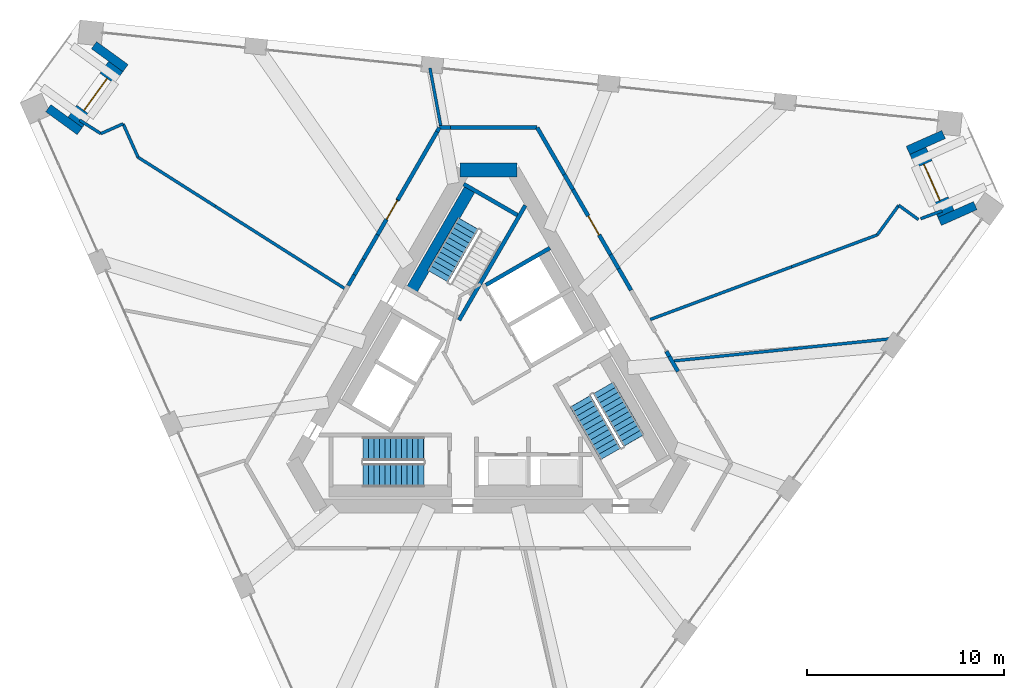
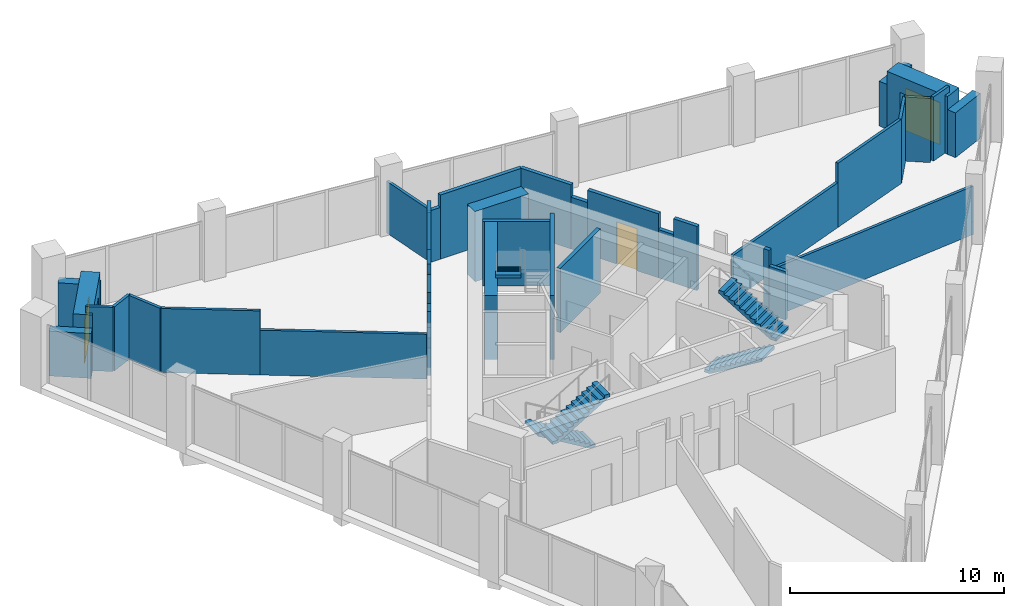
# One storey, part 10 of 15: 38 walls, 5 stair flights, 4 doors, 4 openings, 3 elements without a shape of their own.
"""IFC4 building model written with IfcOpenShell, lengths in metres."""

from ifc_helpers import new_model, si_unit, direction, frame, frame_2d, origin, place, context, subcontext, project, spatial, polyline, rectangle, outline, extrude, material, layer, layer_set, type_object, element, fill, aggregate, save


model = new_model("IFC4")

# Units and contexts
model_context = context("Model", 3, precision=1e-05, world=origin(), true_north=direction((0.0, 1.0)))
body_context = subcontext(model_context, "Body", "Model", "MODEL_VIEW")
ifc_project = project(units=[si_unit("LENGTHUNIT", "METRE"), si_unit("AREAUNIT", "SQUARE_METRE"), si_unit("VOLUMEUNIT", "CUBIC_METRE"), si_unit("PLANEANGLEUNIT", "RADIAN"), si_unit("MASSUNIT", "GRAM", prefix="KILO")], contexts=[model_context])

# Site, building, storey
site_placement = place(None, origin())
site = spatial("IfcSite", under=ifc_project, at=site_placement, CompositionType="ELEMENT")
building_placement = place(site_placement, origin())
building = spatial("IfcBuilding", under=site, at=building_placement, Name="Tramontana Tower", CompositionType="ELEMENT")
storey_placement = place(building_placement, frame((0.0, 0.0, 237.199951171875)))
storey = spatial("IfcBuildingStorey", under=building, at=storey_placement, Name="L55", CompositionType="ELEMENT", Elevation=237.199951171875)

# Walls
ifc_material_1 = material(Name="Concrete 70 MPa", Category="concrete")
ifc_layer_1 = layer(ifc_material_1, 0.699951171875)
ifc_layer_set_1 = layer_set([ifc_layer_1], Name="Core wall 700 70 MPa")
wall_type_1 = type_object("IfcWallType", Name="Core wall 700 70 MPa", PredefinedType="SHEAR", material=ifc_layer_set_1)
wall_1_placement = place(storey_placement, frame((1.443359375, 10.64990234375, 0.0), z_axis=(0.0, 0.0, 1.0), x_axis=(-1.0, 0.0, 0.0)))
element("IfcWall", 1, at=wall_1_placement, inside=storey, type_object=wall_type_1, Name="Core wall C0 L55", PredefinedType="SHEAR", context=body_context, shape_type="SweptSolid", body=[
    extrude(rectangle(XDim=2.88671875, YDim=0.699951171875, at=frame_2d((1.443359375, 0.0))), origin(), (0.0, 0.0, 1.0), 4.0),
])
ifc_material_2 = material(Name="Blockwork", Category="masonry")
ifc_layer_2 = layer(ifc_material_2, 0.199951171875)
ifc_layer_set_2 = layer_set([ifc_layer_2], Name="ENTRY WALL 200")
wall_type_2 = type_object("IfcWallType", Name="ENTRY WALL 200", PredefinedType="SOLIDWALL", material=ifc_layer_set_2)
wall_2_placement = place(storey_placement, frame((-7.11181640625, 4.78173828125, 0.0), z_axis=(0.0, 0.0, 1.0), x_axis=(0.499956208541, 0.866050685319, 0.0)))
element("IfcWall", 2, at=wall_2_placement, inside=storey, type_object=wall_type_2, Name="Wall ew3-6", PredefinedType="SOLIDWALL", context=body_context, shape_type="SweptSolid", body=[
    extrude(rectangle(XDim=0.6328125, YDim=0.199951171875, at=frame_2d((0.31640625, 0.0))), origin(), (0.0, 0.0, 1.0), 3.650146484375),
])
wall_3_placement = place(storey_placement, frame((-6.79541015625, 5.329833984375, 0.0), z_axis=(0.0, 0.0, 1.0), x_axis=(0.499975954304, 0.866039286129, 0.0)))
element("IfcWall", 3, at=wall_3_placement, inside=storey, type_object=wall_type_2, Name="Wall ew3-7", PredefinedType="SOLIDWALL", context=body_context, shape_type="SweptSolid", body=[
    extrude(rectangle(XDim=0.9169921875, YDim=0.199951171875, at=frame_2d((0.45849609375, 0.0))), origin(), (0.0, 0.0, 1.0), 2.550048828125),
])
wall_4_placement = place(storey_placement, frame((-6.3369140625, 6.1240234375, 0.0), z_axis=(0.0, 0.0, 1.0), x_axis=(0.499904796234, 0.866080362727, 0.0)))
element("IfcWall", 4, at=wall_4_placement, inside=storey, type_object=wall_type_2, Name="Wall ew3-8", PredefinedType="SOLIDWALL", context=body_context, shape_type="SweptSolid", body=[
    extrude(rectangle(XDim=1.429443359375, YDim=0.199951171875, at=frame_2d((0.71484375, 0.0))), origin(), (0.0, 0.0, 1.0), 3.650146484375),
])

# Wall, opening, door
wall_5_placement = place(storey_placement, frame((-5.622314453125, 7.362060546875, 0.0), z_axis=(0.0, 0.0, 1.0), x_axis=(0.50006436408, 0.865988239976, 0.0)))
wall_5 = element("IfcWall", 5, at=wall_5_placement, inside=storey, type_object=wall_type_2, Name="Wall ew3-9", PredefinedType="SOLIDWALL", context=body_context, shape_type="SweptSolid", body=[
    extrude(outline(polyline([(0.0, 0.0), (2.060302734375, 0.0), (2.060302734375, 3.650146484375), (0.883544921875, 3.650146484375), (0.883544921875, 2.75), (0.0, 2.75), (0.0, 0.0)])), frame((0.0, 0.10009765625, 0.0), z_axis=(0.0, -1.0, 0.0), x_axis=(1.0, 0.0, 0.0)), (0.0, 0.0, 1.0), 0.199951171875),
])
opening_1_placement = place(wall_5_placement, frame((0.91015625, 0.0, 0.0)))
opening_1 = element("IfcOpeningElement", 6, at=opening_1_placement, cuts=wall_5, Name="Opening L55-02", PredefinedType="OPENING", context=body_context, shape_type="SweptSolid", body=[
    extrude(rectangle(XDim=1.10009765625, YDim=2.39990234375, at=frame_2d((0.550048828125, 1.199951171875))), frame((0.0, 0.10986328125, 0.0), z_axis=(0.0, -1.0, 0.0), x_axis=(1.0, 0.0, 0.0)), (0.0, 0.0, 1.0), 0.219970703125),
])
ifc_material_3 = material(Name="Painted timber", Category="wood")
door_type_1 = type_object("IfcDoorType", Name="DOOR ENTRY 1100", OperationType="SINGLE_SWING_LEFT", PredefinedType="DOOR", material=ifc_material_3)
door_1_placement = place(opening_1_placement, origin())
door_1 = element("IfcDoor", 7, at=door_1_placement, inside=storey, type_object=door_type_1, Name="Door L55-02", OperationType="SINGLE_SWING_RIGHT", OverallHeight=2.39990234375, OverallWidth=1.10009765625, PredefinedType="DOOR", context=body_context, shape_type="SweptSolid", body=[
    extrude(rectangle(XDim=1.10009765625, YDim=2.39990234375, at=frame_2d((0.550048828125, 1.199951171875))), frame((0.0, 0.02490234375, 0.0), z_axis=(0.0, -1.0, 0.0), x_axis=(1.0, 0.0, 0.0)), (0.0, 0.0, 1.0), 0.050048828125),
])
fill(opening_1, door_1)

# Walls
wall_6_placement = place(storey_placement, frame((-4.592041015625, 9.146240234375, 0.0), z_axis=(0.0, 0.0, 1.0), x_axis=(0.499987651691, 0.866032532966, 0.0)))
element("IfcWall", 8, at=wall_6_placement, inside=storey, type_object=wall_type_2, Name="Wall ew3-10", PredefinedType="SOLIDWALL", context=body_context, shape_type="SweptSolid", body=[
    extrude(rectangle(XDim=3.984375, YDim=0.199951171875, at=frame_2d((1.9921875, 0.0))), origin(), (0.0, 0.0, 1.0), 3.650146484375),
])
wall_7_placement = place(storey_placement, frame((-2.599853515625, 12.596923828125, 0.0), z_axis=(0.0, 0.0, 1.0), x_axis=(0.49972245349, 0.866185586049, 0.0)))
element("IfcWall", 9, at=wall_7_placement, inside=storey, type_object=wall_type_2, Name="Wall ew3-11", PredefinedType="SOLIDWALL", context=body_context, shape_type="SweptSolid", body=[
    extrude(rectangle(XDim=0.234619140625, YDim=0.199951171875, at=frame_2d((0.1171875, 0.0))), origin(), (0.0, 0.0, 1.0), 2.949951171875),
])
wall_8_placement = place(storey_placement, frame((-2.482666015625, 12.800048828125, 0.0), z_axis=(0.0, 0.0, 1.0), x_axis=(1.0, 0.0, 0.0)))
element("IfcWall", 10, at=wall_8_placement, inside=storey, type_object=wall_type_2, Name="Wall ew4-0", PredefinedType="SOLIDWALL", context=body_context, shape_type="SweptSolid", body=[
    extrude(rectangle(XDim=0.5576171875, YDim=0.199951171875, at=frame_2d((0.27880859375, 0.0))), origin(), (0.0, 0.0, 1.0), 2.949951171875),
])
wall_9_placement = place(storey_placement, frame((-1.925048828125, 12.800048828125, 0.0), z_axis=(0.0, 0.0, 1.0), x_axis=(1.0, 0.0, 0.0)))
element("IfcWall", 11, at=wall_9_placement, inside=storey, type_object=wall_type_2, Name="Wall ew4-1", PredefinedType="SOLIDWALL", context=body_context, shape_type="SweptSolid", body=[
    extrude(rectangle(XDim=4.40771484375, YDim=0.199951171875, at=frame_2d((2.203857421875, 0.0))), origin(), (0.0, 0.0, 1.0), 3.650146484375),
])
wall_10_placement = place(storey_placement, frame((2.482666015625, 12.800048828125, 0.0), z_axis=(0.0, 0.0, 1.0), x_axis=(0.499956000529, -0.8660508054, 0.0)))
element("IfcWall", 12, at=wall_10_placement, inside=storey, type_object=wall_type_2, Name="Wall ew5-0", PredefinedType="SOLIDWALL", context=body_context, shape_type="SweptSolid", body=[
    extrude(rectangle(XDim=2.744873046875, YDim=0.199951171875, at=frame_2d((1.37255859375, 0.0))), origin(), (0.0, 0.0, 1.0), 3.650146484375),
])
wall_11_placement = place(storey_placement, frame((3.85498046875, 10.4228515625, 0.0), z_axis=(0.0, 0.0, 1.0), x_axis=(0.500135429527, -0.86594719939, 0.0)))
element("IfcWall", 13, at=wall_11_placement, inside=storey, type_object=wall_type_2, Name="Wall ew5-1", PredefinedType="SOLIDWALL", context=body_context, shape_type="SweptSolid", body=[
    extrude(rectangle(XDim=0.886962890625, YDim=0.199951171875, at=frame_2d((0.443359375, 0.0))), origin(), (0.0, 0.0, 1.0), 2.949951171875),
])

# Wall, opening, door
wall_12_placement = place(storey_placement, frame((4.298583984375, 9.65478515625, 0.0), z_axis=(0.0, 0.0, 1.0), x_axis=(0.499997905474, -0.866026613056, 0.0)))
wall_12 = element("IfcWall", 14, at=wall_12_placement, inside=storey, type_object=wall_type_2, Name="Wall ew5-2", PredefinedType="SOLIDWALL", context=body_context, shape_type="SweptSolid", body=[
    extrude(rectangle(XDim=3.810546875, YDim=0.199951171875, at=frame_2d((1.9052734375, 0.0))), origin(), (0.0, 0.0, 1.0), 3.650146484375),
])
opening_2_placement = place(wall_12_placement, frame((1.5498046875, 0.0, 0.0)))
opening_2 = element("IfcOpeningElement", 15, at=opening_2_placement, cuts=wall_12, Name="Opening L55-01", PredefinedType="OPENING", context=body_context, shape_type="SweptSolid", body=[
    extrude(rectangle(XDim=1.10009765625, YDim=2.39990234375, at=frame_2d((0.550048828125, 1.199951171875))), frame((0.0, 0.10986328125, 0.0), z_axis=(0.0, -1.0, 0.0), x_axis=(1.0, 0.0, 0.0)), (0.0, 0.0, 1.0), 0.219970703125),
])
door_2_placement = place(opening_2_placement, origin())
door_2 = element("IfcDoor", 16, at=door_2_placement, inside=storey, type_object=door_type_1, Name="Door L55-01", OperationType="SINGLE_SWING_LEFT", OverallHeight=2.39990234375, OverallWidth=1.10009765625, PredefinedType="DOOR", context=body_context, shape_type="SweptSolid", body=[
    extrude(rectangle(XDim=1.10009765625, YDim=2.39990234375, at=frame_2d((0.550048828125, 1.199951171875))), frame((0.0, 0.02490234375, 0.0), z_axis=(0.0, -1.0, 0.0), x_axis=(1.0, 0.0, 0.0)), (0.0, 0.0, 1.0), 0.050048828125),
])
fill(opening_2, door_2)

# Walls
wall_13_placement = place(storey_placement, frame((6.203857421875, 6.354736328125, 0.0), z_axis=(0.0, 0.0, 1.0), x_axis=(0.499911126926, -0.866076708598, 0.0)))
element("IfcWall", 17, at=wall_13_placement, inside=storey, type_object=wall_type_2, Name="Wall ew5-3", PredefinedType="SOLIDWALL", context=body_context, shape_type="SweptSolid", body=[
    extrude(rectangle(XDim=0.821533203125, YDim=0.199951171875, at=frame_2d((0.41064453125, 0.0))), origin(), (0.0, 0.0, 1.0), 2.75),
])
wall_14_placement = place(storey_placement, frame((6.614501953125, 5.643310546875, 0.0), z_axis=(0.0, 0.0, 1.0), x_axis=(0.499978579288, -0.866037770685, 0.0)))
element("IfcWall", 18, at=wall_14_placement, inside=storey, type_object=wall_type_2, Name="Wall ew5-4", PredefinedType="SOLIDWALL", context=body_context, shape_type="SweptSolid", body=[
    extrude(rectangle(XDim=1.26513671875, YDim=0.199951171875, at=frame_2d((0.632568359375, 0.0))), origin(), (0.0, 0.0, 1.0), 3.650146484375),
])
wall_15_placement = place(storey_placement, frame((9.0400390625, 1.442138671875, 0.0), z_axis=(0.0, 0.0, 1.0), x_axis=(0.499986503906, -0.866033195618, 0.0)))
element("IfcWall", 19, at=wall_15_placement, inside=storey, type_object=wall_type_2, Name="Wall ew5-8", PredefinedType="SOLIDWALL", context=body_context, shape_type="SweptSolid", body=[
    extrude(rectangle(XDim=0.29345703125, YDim=0.199951171875, at=frame_2d((0.146728515625, 0.0))), origin(), (0.0, 0.0, 1.0), 3.650146484375),
])
wall_16_placement = place(storey_placement, frame((9.186767578125, 1.18798828125, 0.0), z_axis=(0.0, 0.0, 1.0), x_axis=(0.500121072013, -0.86595549154, 0.0)))
element("IfcWall", 20, at=wall_16_placement, inside=storey, type_object=wall_type_2, Name="Wall ew5-9", PredefinedType="SOLIDWALL", context=body_context, shape_type="SweptSolid", body=[
    extrude(rectangle(XDim=0.883544921875, YDim=0.199951171875, at=frame_2d((0.44189453125, 0.0))), origin(), (0.0, 0.0, 1.0), 2.75),
])
ifc_material_4 = material(Name="Precast concrete 60 MPa", Category="concrete")
ifc_layer_3 = layer(ifc_material_4, 0.449951171875)
ifc_layer_set_3 = layer_set([ifc_layer_3], Name="Precast concrete 60 MPa, 450 mm")
wall_type_3 = type_object("IfcWallType", Name="EW1 Stone-faced precast wall 450", PredefinedType="SOLIDWALL", material=ifc_layer_set_3)
for number, where, z_axis, x_axis, name in (
    (21, (-22.34033203125, 13.7900390625, 0.0), (0.0, 0.0, 1.0), (0.809040012586, -0.587753569138, 0.0), "Corner loggia side wall L55 K60l"),
    (22, (-20.0185546875, 16.985595703125, 0.0), (0.0, 0.0, 1.0), (0.809040012586, -0.587753569138, 0.0), "Corner loggia side wall L55 K60r"),
    (23, (23.112548828125, 12.452392578125, 0.0), (0.0, 0.0, 1.0), (-0.913516289312, -0.406802149899, 0.0), "Corner loggia side wall L55 K62l"),
    (24, (24.71923828125, 8.84375, 0.0), (0.0, 0.0, 1.0), (-0.913562124494, -0.406699206651, 0.0), "Corner loggia side wall L55 K62r"),
):
    element("IfcWall", number, at=place(storey_placement, frame(where, z_axis=z_axis, x_axis=x_axis)), inside=storey, type_object=wall_type_3, Name=name, PredefinedType="SOLIDWALL", context=body_context, shape_type="SweptSolid", body=[
        extrude(rectangle(XDim=1.979248046875, YDim=0.449951171875, at=frame_2d((0.98974609375, 0.0))), origin(), (0.0, 0.0, 1.0), 2.550048828125),
    ])

# Wall, opening, door
ifc_material_5 = material(Name="Precast concrete 60 MPa", Category="concrete")
ifc_layer_4 = layer(ifc_material_5, 0.89990234375)
ifc_layer_set_4 = layer_set([ifc_layer_4], Name="EW2 Stone-faced corner loggia wall 900")
wall_type_4 = type_object("IfcWallType", Name="EW2 Stone-faced corner loggia wall 900", PredefinedType="SOLIDWALL", material=ifc_layer_set_4)
wall_17_placement = place(storey_placement, frame((-20.970947265625, 13.0732421875, 0.0), z_axis=(0.0, 0.0, 1.0), x_axis=(0.587810807352, 0.808998426921, 0.0)))
wall_17 = element("IfcWall", 25, at=wall_17_placement, inside=storey, type_object=wall_type_4, Name="Corner loggia wall L55 K60", PredefinedType="SOLIDWALL", context=body_context, shape_type="SweptSolid", body=[
    extrude(rectangle(XDim=3.5, YDim=0.89990234375, at=frame_2d((1.75, 0.0))), origin(), (0.0, 0.0, 1.0), 3.300048828125),
])
opening_3_placement = place(wall_17_placement, frame((0.75, 0.0, 0.0)))
opening_3 = element("IfcOpeningElement", 26, at=opening_3_placement, cuts=wall_17, Name="Opening BD-60C", PredefinedType="OPENING", context=body_context, shape_type="SweptSolid", body=[
    extrude(rectangle(XDim=2.0, YDim=2.39990234375, at=frame_2d((1.0, 1.199951171875))), frame((0.0, 0.4599609375, 0.0), z_axis=(0.0, -1.0, 0.0), x_axis=(1.0, 0.0, 0.0)), (0.0, 0.0, 1.0), 0.919921875),
])
ifc_material_6 = material(Name="Aluminum frame, double glazing unit", Category="aluminium")
door_type_2 = type_object("IfcDoorType", Name="BC1 Sliding door 2 x 2.4", OperationType="SLIDING_TO_LEFT", PredefinedType="DOOR", material=ifc_material_6)
door_3_placement = place(opening_3_placement, origin())
door_3 = element("IfcDoor", 27, at=door_3_placement, inside=storey, type_object=door_type_2, Name="Corner loggia door L55 K60", OperationType="SLIDING_TO_LEFT", OverallHeight=2.39990234375, OverallWidth=2.0, PredefinedType="DOOR", context=body_context, shape_type="SweptSolid", body=[
    extrude(rectangle(XDim=2.0, YDim=2.39990234375, at=frame_2d((1.0, 1.199951171875))), frame((0.0, 0.02490234375, 0.0), z_axis=(0.0, -1.0, 0.0), x_axis=(1.0, 0.0, 0.0)), (0.0, 0.0, 1.0), 0.050048828125),
])
fill(opening_3, door_3)

wall_18_placement = place(storey_placement, frame((21.80712890625, 11.624755859375, 0.0), z_axis=(0.0, 0.0, 1.0), x_axis=(0.406727323635, -0.913549606868, 0.0)))
wall_18 = element("IfcWall", 28, at=wall_18_placement, inside=storey, type_object=wall_type_4, Name="Corner loggia wall L55 K62", PredefinedType="SOLIDWALL", context=body_context, shape_type="SweptSolid", body=[
    extrude(rectangle(XDim=3.5, YDim=0.89990234375, at=frame_2d((1.75, 0.0))), origin(), (0.0, 0.0, 1.0), 3.300048828125),
])
opening_4_placement = place(wall_18_placement, frame((0.75, 0.0, 0.0)))
opening_4 = element("IfcOpeningElement", 29, at=opening_4_placement, cuts=wall_18, Name="Opening BD-62C", PredefinedType="OPENING", context=body_context, shape_type="SweptSolid", body=[
    extrude(rectangle(XDim=2.0, YDim=2.39990234375, at=frame_2d((1.0, 1.199951171875))), frame((0.0, 0.4599609375, 0.0), z_axis=(0.0, -1.0, 0.0), x_axis=(1.0, 0.0, 0.0)), (0.0, 0.0, 1.0), 0.919921875),
])
door_4_placement = place(opening_4_placement, origin())
door_4 = element("IfcDoor", 30, at=door_4_placement, inside=storey, type_object=door_type_2, Name="Corner loggia door L55 K62", OperationType="SLIDING_TO_LEFT", OverallHeight=2.39990234375, OverallWidth=2.0, PredefinedType="DOOR", context=body_context, shape_type="SweptSolid", body=[
    extrude(rectangle(XDim=2.0, YDim=2.39990234375, at=frame_2d((1.0, 1.199951171875))), frame((0.0, 0.02490234375, 0.0), z_axis=(0.0, -1.0, 0.0), x_axis=(1.0, 0.0, 0.0)), (0.0, 0.0, 1.0), 0.050048828125),
])
fill(opening_4, door_4)

# Walls
ifc_material_7 = material(Name="Gypsum board partition")
ifc_layer_5 = layer(ifc_material_7, 0.14990234375)
ifc_layer_set_5 = layer_set([ifc_layer_5], Name="PARTITION 150")
wall_type_5 = type_object("IfcWallType", Name="PARTITION 150", PredefinedType="PARTITIONING", material=ifc_layer_set_5)
wall_19_placement = place(storey_placement, frame((-19.66650390625, 12.495849609375, 0.0), z_axis=(0.0, 0.0, 1.0), x_axis=(-0.844054864629, 0.536256827924, 0.0)))
element("IfcWall", 31, at=wall_19_placement, inside=storey, type_object=wall_type_5, Name="Wall fw-pw00", PredefinedType="PARTITIONING", context=body_context, shape_type="SweptSolid", body=[
    extrude(rectangle(XDim=1.277099609375, YDim=0.14990234375, at=frame_2d((0.638671875, 0.0))), origin(), (0.0, 0.0, 1.0), 3.650146484375),
])
wall_20_placement = place(storey_placement, frame((-18.541015625, 12.996826171875, 0.0), z_axis=(0.0, 0.0, 1.0), x_axis=(-0.913582584013, -0.406653245639, 0.0)))
element("IfcWall", 32, at=wall_20_placement, inside=storey, type_object=wall_type_5, Name="Wall fw-pw01", PredefinedType="PARTITIONING", context=body_context, shape_type="SweptSolid", body=[
    extrude(rectangle(XDim=1.23193359375, YDim=0.14990234375, at=frame_2d((0.615966796875, 0.0))), origin(), (0.0, 0.0, 1.0), 3.650146484375),
])
wall_21_placement = place(storey_placement, frame((-17.782958984375, 11.299072265625, 0.0), z_axis=(0.0, 0.0, 1.0), x_axis=(-0.406809110969, 0.913513189414, 0.0)))
element("IfcWall", 33, at=wall_21_placement, inside=storey, type_object=wall_type_5, Name="Wall fw-pw02", PredefinedType="PARTITIONING", context=body_context, shape_type="SweptSolid", body=[
    extrude(rectangle(XDim=1.857421875, YDim=0.14990234375, at=frame_2d((0.9287109375, 0.0))), origin(), (0.0, 0.0, 1.0), 3.650146484375),
])
wall_22_placement = place(storey_placement, frame((-7.3076171875, 4.64306640625, 0.0), z_axis=(0.0, 0.0, 1.0), x_axis=(-0.844032346695, 0.536292268947, 0.0)))
element("IfcWall", 34, at=wall_22_placement, inside=storey, type_object=wall_type_5, Name="Wall fw-pw05-0", PredefinedType="PARTITIONING", context=body_context, shape_type="SweptSolid", body=[
    extrude(rectangle(XDim=7.775390625, YDim=0.14990234375, at=frame_2d((3.8876953125, 0.0))), origin(), (0.0, 0.0, 1.0), 2.550048828125),
])
wall_23_placement = place(storey_placement, frame((-13.870361328125, 8.81298828125, 0.0), z_axis=(0.0, 0.0, 1.0), x_axis=(-0.844027785631, 0.536299447215, 0.0)))
element("IfcWall", 35, at=wall_23_placement, inside=storey, type_object=wall_type_5, Name="Wall fw-pw05-1", PredefinedType="PARTITIONING", context=body_context, shape_type="SweptSolid", body=[
    extrude(rectangle(XDim=4.6357421875, YDim=0.14990234375, at=frame_2d((2.31787109375, 0.0))), origin(), (0.0, 0.0, 1.0), 3.650146484375),
])
wall_24_placement = place(storey_placement, frame((-2.415771484375, 12.900146484375, 0.0), z_axis=(0.0, 0.0, 1.0), x_axis=(-0.18402115817, 0.982922282455, 0.0)))
element("IfcWall", 36, at=wall_24_placement, inside=storey, type_object=wall_type_5, Name="Wall fw-pw09-0", PredefinedType="PARTITIONING", context=body_context, shape_type="SweptSolid", body=[
    extrude(rectangle(XDim=2.97705078125, YDim=0.14990234375, at=frame_2d((1.488525390625, 0.0))), origin(), (0.0, 0.0, 1.0), 2.949951171875),
])
wall_25_placement = place(storey_placement, frame((9.43310546875, 0.96142578125, 0.0), z_axis=(0.0, 0.0, 1.0), x_axis=(0.994848032618, 0.101377472819, 0.0)))
element("IfcWall", 37, at=wall_25_placement, inside=storey, type_object=wall_type_5, Name="Wall fw-pw12-0", PredefinedType="PARTITIONING", context=body_context, shape_type="SweptSolid", body=[
    extrude(rectangle(XDim=11.222412109375, YDim=0.14990234375, at=frame_2d((5.611328125, 0.0))), origin(), (0.0, 0.0, 1.0), 2.75),
])
wall_26_placement = place(storey_placement, frame((19.743408203125, 7.354736328125, 0.0), z_axis=(0.0, 0.0, 1.0), x_axis=(-0.937095289684, -0.349073657058, 0.0)))
element("IfcWall", 38, at=wall_26_placement, inside=storey, type_object=wall_type_5, Name="Wall fw-pw13-0", PredefinedType="PARTITIONING", context=body_context, shape_type="SweptSolid", body=[
    extrude(rectangle(XDim=4.635498046875, YDim=0.14990234375, at=frame_2d((2.31787109375, 0.0))), origin(), (0.0, 0.0, 1.0), 3.650146484375),
])
wall_27_placement = place(storey_placement, frame((15.3994140625, 5.736572265625, 0.0), z_axis=(0.0, 0.0, 1.0), x_axis=(-0.937094379244, -0.349076101144, 0.0)))
element("IfcWall", 39, at=wall_27_placement, inside=storey, type_object=wall_type_5, Name="Wall fw-pw13-1", PredefinedType="PARTITIONING", context=body_context, shape_type="SweptSolid", body=[
    extrude(rectangle(XDim=7.6611328125, YDim=0.14990234375, at=frame_2d((3.83056640625, 0.0))), origin(), (0.0, 0.0, 1.0), 2.550048828125),
])
wall_28_placement = place(storey_placement, frame((20.83544921875, 8.857666015625, 0.0), z_axis=(0.0, 0.0, 1.0), x_axis=(-0.587796499564, -0.809008822634, 0.0)))
element("IfcWall", 40, at=wall_28_placement, inside=storey, type_object=wall_type_5, Name="Wall fw-pw14", PredefinedType="PARTITIONING", context=body_context, shape_type="SweptSolid", body=[
    extrude(rectangle(XDim=1.857421875, YDim=0.14990234375, at=frame_2d((0.9287109375, 0.0))), origin(), (0.0, 0.0, 1.0), 3.650146484375),
])
wall_29_placement = place(storey_placement, frame((21.834716796875, 8.1337890625, 0.0), z_axis=(0.0, 0.0, 1.0), x_axis=(-0.808993112519, 0.587818121443, 0.0)))
element("IfcWall", 41, at=wall_29_placement, inside=storey, type_object=wall_type_5, Name="Wall fw-pw15", PredefinedType="PARTITIONING", context=body_context, shape_type="SweptSolid", body=[
    extrude(rectangle(XDim=1.23193359375, YDim=0.14990234375, at=frame_2d((0.615966796875, 0.0))), origin(), (0.0, 0.0, 1.0), 3.650146484375),
])
wall_30_placement = place(storey_placement, frame((23.031494140625, 8.57958984375, 0.0), z_axis=(0.0, 0.0, 1.0), x_axis=(-0.937141646559, -0.348949185819, 0.0)))
element("IfcWall", 42, at=wall_30_placement, inside=storey, type_object=wall_type_5, Name="Wall fw-pw16", PredefinedType="PARTITIONING", context=body_context, shape_type="SweptSolid", body=[
    extrude(rectangle(XDim=1.1572265625, YDim=0.14990234375, at=frame_2d((0.57861328125, 0.0))), origin(), (0.0, 0.0, 1.0), 3.650146484375),
])
ifc_material_8 = material(Name="Concrete 70 MPa", Category="concrete")
ifc_layer_6 = layer(ifc_material_8, 0.60009765625)
ifc_layer_set_6 = layer_set([ifc_layer_6], Name="Concrete 70 MPa, 600 mm")
wall_type_6 = type_object("IfcWallType", Name="RC SHAFT BACK WALL 600", PredefinedType="SOLIDWALL", material=ifc_layer_set_6)
wall_31_placement = place(storey_placement, frame((-0.85302734375, 9.822509765625, 0.0), z_axis=(0.0, 0.0, 1.0), x_axis=(-0.500009909098, -0.866019682689, 0.0)))
element("IfcWall", 43, at=wall_31_placement, inside=storey, type_object=wall_type_6, Name="Wall st1-back", PredefinedType="SOLIDWALL", context=body_context, shape_type="SweptSolid", body=[
    extrude(rectangle(XDim=6.199951171875, YDim=0.60009765625, at=frame_2d((3.10009765625, 0.0))), origin(), (0.0, 0.0, 1.0), 3.650146484375),
])
ifc_material_9 = material(Name="Concrete 70 MPa", Category="concrete")
ifc_layer_7 = layer(ifc_material_9, 0.199951171875)
ifc_layer_set_7 = layer_set([ifc_layer_7], Name="Concrete 70 MPa, 200 mm")
wall_type_7 = type_object("IfcWallType", Name="RC STAIR AND SHAFT WALL 200", PredefinedType="SOLIDWALL", material=ifc_layer_set_7)
wall_32_placement = place(storey_placement, frame((1.87646484375, 8.85009765625, 0.0), z_axis=(0.0, 0.0, 1.0), x_axis=(-0.499998042495, -0.866026533947, 0.0)))
element("IfcWall", 44, at=wall_32_placement, inside=storey, type_object=wall_type_7, Name="Wall st1-front", PredefinedType="SOLIDWALL", context=body_context, shape_type="SweptSolid", body=[
    extrude(rectangle(XDim=6.72265625, YDim=0.199951171875, at=frame_2d((3.361328125, 0.0))), origin(), (0.0, 0.0, 1.0), 3.650146484375),
])
wall_33_placement = place(storey_placement, frame((1.478515625, 8.36083984375, 0.0), z_axis=(0.0, 0.0, 1.0), x_axis=(-0.866035871367, 0.499981869177, 0.0)))
element("IfcWall", 45, at=wall_33_placement, inside=storey, type_object=wall_type_7, Name="Wall st1-far", PredefinedType="SOLIDWALL", context=body_context, shape_type="SweptSolid", body=[
    extrude(rectangle(XDim=3.14990234375, YDim=0.199951171875, at=frame_2d((1.574951171875, 0.0))), origin(), (0.0, 0.0, 1.0), 3.650146484375),
])
wall_34_placement = place(storey_placement, frame((-0.123046875, 4.813232421875, 0.0), z_axis=(0.0, 0.0, 1.0), x_axis=(0.866022959057, 0.500004234368, 0.0)))
element("IfcWall", 46, at=wall_34_placement, inside=storey, type_object=wall_type_7, Name="Wall row2-side2", PredefinedType="SOLIDWALL", context=body_context, shape_type="SweptSolid", body=[
    extrude(rectangle(XDim=3.75, YDim=0.199951171875, at=frame_2d((1.875, 0.0))), origin(), (0.0, 0.0, 1.0), 3.650146484375),
])

# Stair, stair flight
ifc_material_10 = material(Name="Concrete 40 MPa", Category="concrete")
stair_type = type_object("IfcStairType", Name="EXIT STAIR 24 RISERS", PredefinedType="HALF_TURN_STAIR", material=ifc_material_10)
stair_1_placement = place(storey_placement, origin())
stair_1 = element("IfcStair", 47, at=stair_1_placement, inside=storey, type_object=stair_type, Name="L55 Exit stair ST1", PredefinedType="HALF_TURN_STAIR")
ifc_material_11 = material(Name="Concrete 40 MPa", Category="concrete")
ifc_layer_8 = layer(ifc_material_11, 0.14990234375)
ifc_layer_set_8 = layer_set([ifc_layer_8], Name="EXIT STAIR FLIGHT")
stair_flight_type = type_object("IfcStairFlightType", Name="EXIT STAIR FLIGHT", PredefinedType="STRAIGHT", material=ifc_layer_set_8)
stair_flight_1_placement = place(storey_placement, frame((-1.020263671875, 7.932861328125, 2.0), z_axis=(0.0, 0.0, 1.0), x_axis=(-0.5, -0.866025403784, 0.0)))
stair_flight_1 = element("IfcStairFlight", 48, at=stair_flight_1_placement, type_object=stair_flight_type, Name="ST1 flight 2", NumberOfRisers=12, NumberOfTreads=11, PredefinedType="STRAIGHT", RiserHeight=0.166666667, TreadLength=0.28, context=body_context, shape_type="SweptSolid", body=[
    extrude(outline(polyline([(-0.006103515625, 0.0), (-0.006103515625, 0.0400390625), (0.0, 0.0400390625), (0.0, 0.166748046875), (0.280029296875, 0.166748046875), (0.280029296875, 0.333251953125), (0.56005859375, 0.333251953125), (0.56005859375, 0.5), (0.840087890625, 0.5), (0.840087890625, 0.666748046875), (1.1201171875, 0.666748046875), (1.1201171875, 0.833251953125), (1.39990234375, 0.833251953125), (1.39990234375, 1.0), (1.679931640625, 1.0), (1.679931640625, 1.166748046875), (1.9599609375, 1.166748046875), (1.9599609375, 1.333251953125), (2.239990234375, 1.333251953125), (2.239990234375, 1.5), (2.52001953125, 1.5), (2.52001953125, 1.666748046875), (2.800048828125, 1.666748046875), (2.800048828125, 1.833251953125), (3.080078125, 1.833251953125), (3.0859375, 1.833251953125), (3.0859375, 1.658935546875), (0.299072265625, 0.0), (-0.006103515625, 0.0)])), frame((0.0, 0.60009765625, 0.0), z_axis=(0.0, -1.0, 0.0), x_axis=(1.0, 0.0, 0.0)), (0.0, 0.0, 1.0), 1.199951171875),
])
aggregate(stair_1, [stair_flight_1])

# Stair, stair flights
stair_2_placement = place(storey_placement, origin())
stair_2 = element("IfcStair", 49, at=stair_2_placement, inside=storey, type_object=stair_type, Name="L55 Exit stair ST2", PredefinedType="HALF_TURN_STAIR")
stair_flight_2_placement = place(storey_placement, frame((-3.280029296875, -3.5, 0.0), z_axis=(0.0, 0.0, 1.0), x_axis=(-1.0, 0.0, 0.0)))
stair_flight_2 = element("IfcStairFlight", 50, at=stair_flight_2_placement, type_object=stair_flight_type, Name="ST2 flight 1", NumberOfRisers=12, NumberOfTreads=11, PredefinedType="STRAIGHT", RiserHeight=0.166666667, TreadLength=0.28, context=body_context, shape_type="SweptSolid", body=[
    extrude(outline(polyline([(-0.006103515625, 0.0), (-0.006103515625, 0.0400390625), (0.0, 0.0400390625), (0.0, 0.166748046875), (0.280029296875, 0.166748046875), (0.280029296875, 0.333251953125), (0.56005859375, 0.333251953125), (0.56005859375, 0.5), (0.840087890625, 0.5), (0.840087890625, 0.666748046875), (1.1201171875, 0.666748046875), (1.1201171875, 0.833251953125), (1.39990234375, 0.833251953125), (1.39990234375, 1.0), (1.679931640625, 1.0), (1.679931640625, 1.166748046875), (1.9599609375, 1.166748046875), (1.9599609375, 1.333251953125), (2.239990234375, 1.333251953125), (2.239990234375, 1.5), (2.52001953125, 1.5), (2.52001953125, 1.666748046875), (2.800048828125, 1.666748046875), (2.800048828125, 1.833251953125), (3.080078125, 1.833251953125), (3.0859375, 1.833251953125), (3.0859375, 1.658935546875), (0.299072265625, 0.0), (-0.006103515625, 0.0)])), frame((0.0, 0.60009765625, 0.0), z_axis=(0.0, -1.0, 0.0), x_axis=(1.0, 0.0, 0.0)), (0.0, 0.0, 1.0), 1.199951171875),
])
stair_flight_3_placement = place(storey_placement, frame((-6.360107421875, -4.85009765625, 2.0), z_axis=(0.0, 0.0, 1.0), x_axis=(1.0, 0.0, 0.0)))
stair_flight_3 = element("IfcStairFlight", 51, at=stair_flight_3_placement, type_object=stair_flight_type, Name="ST2 flight 2", NumberOfRisers=12, NumberOfTreads=11, PredefinedType="STRAIGHT", RiserHeight=0.166666667, TreadLength=0.28, context=body_context, shape_type="SweptSolid", body=[
    extrude(outline(polyline([(-0.006103515625, 0.0), (-0.006103515625, 0.0400390625), (0.0, 0.0400390625), (0.0, 0.166748046875), (0.280029296875, 0.166748046875), (0.280029296875, 0.333251953125), (0.56005859375, 0.333251953125), (0.56005859375, 0.5), (0.840087890625, 0.5), (0.840087890625, 0.666748046875), (1.1201171875, 0.666748046875), (1.1201171875, 0.833251953125), (1.39990234375, 0.833251953125), (1.39990234375, 1.0), (1.679931640625, 1.0), (1.679931640625, 1.166748046875), (1.9599609375, 1.166748046875), (1.9599609375, 1.333251953125), (2.239990234375, 1.333251953125), (2.239990234375, 1.5), (2.52001953125, 1.5), (2.52001953125, 1.666748046875), (2.800048828125, 1.666748046875), (2.800048828125, 1.833251953125), (3.080078125, 1.833251953125), (3.0859375, 1.833251953125), (3.0859375, 1.658935546875), (0.299072265625, 0.0), (-0.006103515625, 0.0)])), frame((0.0, 0.60009765625, 0.0), z_axis=(0.0, -1.0, 0.0), x_axis=(1.0, 0.0, 0.0)), (0.0, 0.0, 1.0), 1.199951171875),
])
aggregate(stair_2, [stair_flight_2, stair_flight_3])

stair_3_placement = place(storey_placement, origin())
stair_3 = element("IfcStair", 52, at=stair_3_placement, inside=storey, type_object=stair_type, Name="L55 Exit stair ST3", PredefinedType="HALF_TURN_STAIR")
stair_flight_4_placement = place(storey_placement, frame((4.671142578125, -1.090576171875, 0.0), z_axis=(0.0, 0.0, 1.0), x_axis=(0.5, -0.866025403784, 0.0)))
stair_flight_4 = element("IfcStairFlight", 53, at=stair_flight_4_placement, type_object=stair_flight_type, Name="ST3 flight 1", NumberOfRisers=12, NumberOfTreads=11, PredefinedType="STRAIGHT", RiserHeight=0.166666667, TreadLength=0.28, context=body_context, shape_type="SweptSolid", body=[
    extrude(outline(polyline([(-0.006103515625, 0.0), (-0.006103515625, 0.0400390625), (0.0, 0.0400390625), (0.0, 0.166748046875), (0.280029296875, 0.166748046875), (0.280029296875, 0.333251953125), (0.56005859375, 0.333251953125), (0.56005859375, 0.5), (0.840087890625, 0.5), (0.840087890625, 0.666748046875), (1.1201171875, 0.666748046875), (1.1201171875, 0.833251953125), (1.39990234375, 0.833251953125), (1.39990234375, 1.0), (1.679931640625, 1.0), (1.679931640625, 1.166748046875), (1.9599609375, 1.166748046875), (1.9599609375, 1.333251953125), (2.239990234375, 1.333251953125), (2.239990234375, 1.5), (2.52001953125, 1.5), (2.52001953125, 1.666748046875), (2.800048828125, 1.666748046875), (2.800048828125, 1.833251953125), (3.080078125, 1.833251953125), (3.0859375, 1.833251953125), (3.0859375, 1.658935546875), (0.299072265625, 0.0), (-0.006103515625, 0.0)])), frame((0.0, 0.60009765625, 0.0), z_axis=(0.0, -1.0, 0.0), x_axis=(1.0, 0.0, 0.0)), (0.0, 0.0, 1.0), 1.199951171875),
])
stair_flight_5_placement = place(storey_placement, frame((7.380126953125, -3.0830078125, 2.0), z_axis=(0.0, 0.0, 1.0), x_axis=(-0.5, 0.866025403784, 0.0)))
stair_flight_5 = element("IfcStairFlight", 54, at=stair_flight_5_placement, type_object=stair_flight_type, Name="ST3 flight 2", NumberOfRisers=12, NumberOfTreads=11, PredefinedType="STRAIGHT", RiserHeight=0.166666667, TreadLength=0.28, context=body_context, shape_type="SweptSolid", body=[
    extrude(outline(polyline([(-0.006103515625, 0.0), (-0.006103515625, 0.0400390625), (0.0, 0.0400390625), (0.0, 0.166748046875), (0.280029296875, 0.166748046875), (0.280029296875, 0.333251953125), (0.56005859375, 0.333251953125), (0.56005859375, 0.5), (0.840087890625, 0.5), (0.840087890625, 0.666748046875), (1.1201171875, 0.666748046875), (1.1201171875, 0.833251953125), (1.39990234375, 0.833251953125), (1.39990234375, 1.0), (1.679931640625, 1.0), (1.679931640625, 1.166748046875), (1.9599609375, 1.166748046875), (1.9599609375, 1.333251953125), (2.239990234375, 1.333251953125), (2.239990234375, 1.5), (2.52001953125, 1.5), (2.52001953125, 1.666748046875), (2.800048828125, 1.666748046875), (2.800048828125, 1.833251953125), (3.080078125, 1.833251953125), (3.0859375, 1.833251953125), (3.0859375, 1.658935546875), (0.299072265625, 0.0), (-0.006103515625, 0.0)])), frame((0.0, 0.60009765625, 0.0), z_axis=(0.0, -1.0, 0.0), x_axis=(1.0, 0.0, 0.0)), (0.0, 0.0, 1.0), 1.199951171875),
])
aggregate(stair_3, [stair_flight_4, stair_flight_5])

save(model, "model.ifc")
